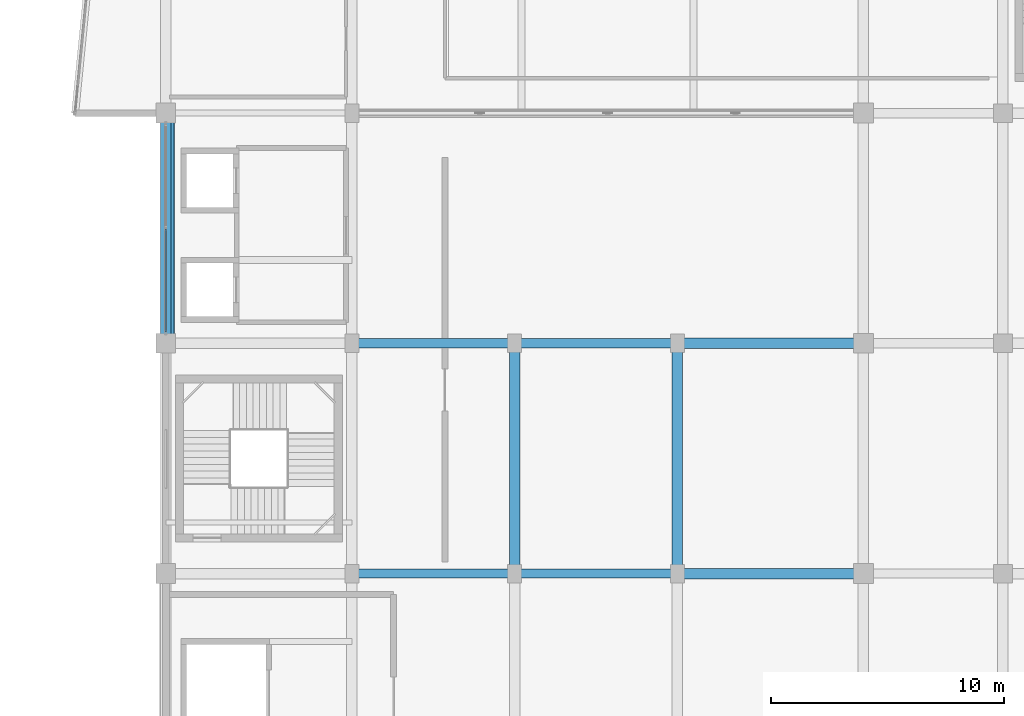
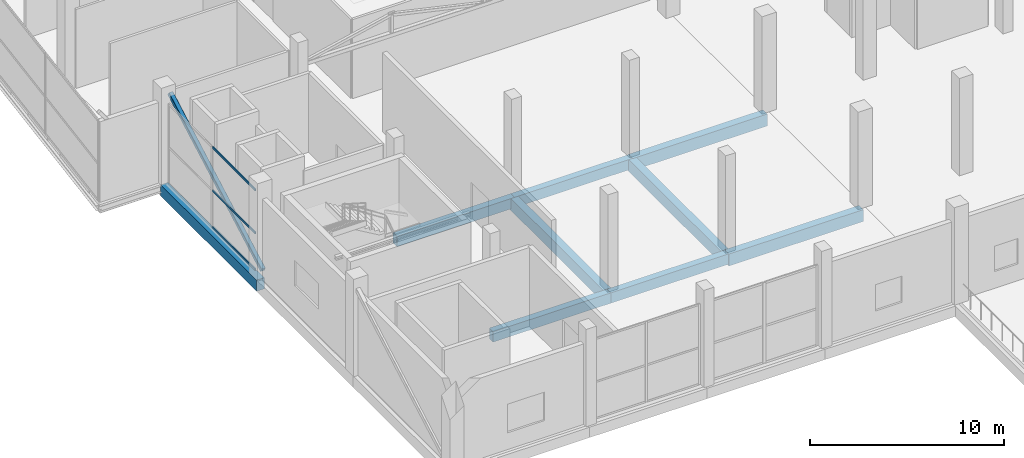
# One storey, part 6 of 58: 9 beams, 4 members, 1 element without a shape of its own.
"""IFC4 building model written with IfcOpenShell, lengths in metres."""

from ifc_helpers import new_model, si_unit, direction, frame, origin, origin_2d, place, context, subcontext, project, spatial, rectangle, hollow_rectangle, extrude, material, layer, layer_set, material_profile, profile_set, type_object, element, aggregate, save


model = new_model("IFC4")

# Units and contexts
model_context = context("Model", 3, precision=1e-05, world=origin(), true_north=direction((0.0, 1.0)))
body_context = subcontext(model_context, "Body", "Model", "MODEL_VIEW")
ifc_project = project(units=[si_unit("LENGTHUNIT", "METRE"), si_unit("AREAUNIT", "SQUARE_METRE"), si_unit("VOLUMEUNIT", "CUBIC_METRE"), si_unit("PLANEANGLEUNIT", "RADIAN"), si_unit("MASSUNIT", "GRAM", prefix="KILO")], contexts=[model_context])

# Site, building, storey
site_placement = place(None, origin())
site = spatial("IfcSite", under=ifc_project, at=site_placement, CompositionType="ELEMENT")
building_placement = place(site_placement, origin())
building = spatial("IfcBuilding", under=site, at=building_placement, Name="Sillaruma Civic Art Gallery", CompositionType="ELEMENT")
storey_placement = place(building_placement, frame((0.0, 0.0, 22.43994140625)))
storey = spatial("IfcBuildingStorey", under=building, at=storey_placement, Name="L04", CompositionType="ELEMENT", Elevation=22.43994140625)

# Beams
ifc_material_1 = material(Name="Concrete H35 (35 MPa)", Category="concrete")
ifc_material_profile_1 = material_profile(ifc_material_1, rectangle(XDim=0.39990234375, YDim=0.64990234375, at=origin_2d()), Name="RCB400x650")
ifc_profile_set_1 = profile_set([ifc_material_profile_1], Name="Concrete H35 (35 MPa)")
beam_type_1 = type_object("IfcBeamType", Name="BM-BEAM-RCB400x650", PredefinedType="BEAM", material=ifc_profile_set_1)
for number, where, z_axis, x_axis, name in (
    (1, (70.0, 29.699951171875, -0.5849609375), (1.0, 0.0, 0.0), (0.0, 1.0, 0.0), "Beam BM-05 (L03:4:G-H)"),
    (2, (77.0, 29.699951171875, -0.5849609375), (1.0, 0.0, 0.0), (0.0, 1.0, 0.0), "Beam BM-05 (L03:4:H-J)"),
    (3, (70.0, 39.60009765625, -0.5849609375), (1.0, 0.0, 0.0), (0.0, 1.0, 0.0), "Beam BM-05 (L03:5:G-H)"),
    (4, (77.0, 39.60009765625, -0.5849609375), (1.0, 0.0, 0.0), (0.0, 1.0, 0.0), "Beam BM-05 (L03:5:H-J)"),
):
    element("IfcBeam", number, at=place(storey_placement, frame(where, z_axis=z_axis, x_axis=x_axis)), inside=storey, type_object=beam_type_1, Name=name, PredefinedType="BEAM", context=body_context, shape_type="SweptSolid", body=[
        extrude(rectangle(XDim=0.39990234375, YDim=0.64990234375, at=origin_2d()), origin(), (0.0, 0.0, 1.0), 7.0),
    ])
ifc_material_2 = material(Name="Concrete H40 (40 MPa)", Category="concrete")
ifc_material_profile_2 = material_profile(ifc_material_2, rectangle(XDim=0.449951171875, YDim=0.75, at=origin_2d()), Name="RCB450x750")
ifc_profile_set_2 = profile_set([ifc_material_profile_2], Name="Concrete H40 (40 MPa)")
beam_type_2 = type_object("IfcBeamType", Name="BM-BEAM-RCB450x750", PredefinedType="BEAM", material=ifc_profile_set_2)
for number, where, z_axis, x_axis, name in (
    (5, (84.0, 29.699951171875, -0.635009765625), (1.0, 0.0, 0.0), (0.0, 1.0, 0.0), "Beam BM-03 (L03:4:J-K)"),
    (6, (84.0, 39.60009765625, -0.635009765625), (1.0, 0.0, 0.0), (0.0, 1.0, 0.0), "Beam BM-03 (L03:5:J-K)"),
):
    element("IfcBeam", number, at=place(storey_placement, frame(where, z_axis=z_axis, x_axis=x_axis)), inside=storey, type_object=beam_type_2, Name=name, PredefinedType="BEAM", context=body_context, shape_type="SweptSolid", body=[
        extrude(rectangle(XDim=0.449951171875, YDim=0.75, at=origin_2d()), origin(), (0.0, 0.0, 1.0), 8.0),
    ])
for number, where, z_axis, x_axis, name in (
    (7, (77.0, 29.699951171875, -0.635009765625), (0.0, 1.0, 0.0), (-1.0, 0.0, 0.0), "Beam BM-03 (L03:H:4-5)"),
    (8, (84.0, 29.699951171875, -0.635009765625), (0.0, 1.0, 0.0), (-1.0, 0.0, 0.0), "Beam BM-03 (L03:J:4-5)"),
):
    element("IfcBeam", number, at=place(storey_placement, frame(where, z_axis=z_axis, x_axis=x_axis)), inside=storey, type_object=beam_type_2, Name=name, PredefinedType="BEAM", context=body_context, shape_type="SweptSolid", body=[
        extrude(rectangle(XDim=0.449951171875, YDim=0.75, at=origin_2d()), origin(), (0.0, 0.0, 1.0), 9.900146484375),
    ])
ifc_material_profile_3 = material_profile(ifc_material_1, rectangle(XDim=0.449951171875, YDim=0.699951171875, at=origin_2d()), Name="RCB450x700")
ifc_profile_set_3 = profile_set([ifc_material_profile_3], Name="Concrete H35 (35 MPa)")
beam_type_3 = type_object("IfcBeamType", Name="BM-SPANDREL-RCB450x700", PredefinedType="SPANDREL", material=ifc_profile_set_3)
beam_placement = place(storey_placement, frame((62.0, 39.60009765625, -0.60986328125), z_axis=(0.0, 1.0, 0.0), x_axis=(-1.0, 0.0, 0.0)))
element("IfcBeam", 9, at=beam_placement, inside=storey, type_object=beam_type_3, Name="Beam BS-03 (L03:F:5-6)", PredefinedType="SPANDREL", context=body_context, shape_type="SweptSolid", body=[
    extrude(rectangle(XDim=0.449951171875, YDim=0.699951171875, at=origin_2d()), origin(), (0.0, 0.0, 1.0), 9.89990234375),
])

# Member
ifc_material_3 = material(Name="Structural Steel ASTM A500 Gr.C", Category="steel")
ifc_material_profile_4 = material_profile(ifc_material_3, hollow_rectangle(XDim=0.25, YDim=0.25, WallThickness=0.012451171875, InnerFilletRadius=0.012451171875, OuterFilletRadius=0.02490234375, at=origin_2d()), Name="HSS250x250x12.5")
ifc_profile_set_4 = profile_set([ifc_material_profile_4], Name="Structural Steel ASTM A500 Gr.C")
member_type_1 = type_object("IfcMemberType", Name="MEM-MEGA-BRACE", PredefinedType="BRACE", material=ifc_profile_set_4)
member_1_placement = place(storey_placement, frame((62.25, 39.780029296875, 0.1201171875), z_axis=(0.0, 0.873386545904, 0.487027659823), x_axis=(-1.0, 0.0, 0.0)))
element("IfcMember", 10, at=member_1_placement, inside=storey, type_object=member_type_1, Name="Gallery Spine Diagonal Steel Brace (L04-W1)", PredefinedType="BRACE", context=body_context, shape_type="SweptSolid", body=[
    extrude(hollow_rectangle(XDim=0.25, YDim=0.25, WallThickness=0.012451171875, InnerFilletRadius=0.012451171875, OuterFilletRadius=0.02490234375, at=origin_2d()), origin(), (0.0, 0.0, 1.0), 10.923095703125),
])

# Curtain wall, members
ifc_material_4 = material(Name="Thermally Broken Extruded Aluminium 6063-T6", Category="aluminium")
ifc_layer = layer(ifc_material_4, 0.179931640625, Name="Thermally Broken Extruded Aluminium 6063-T6")
ifc_layer_set = layer_set([ifc_layer], Name="Thermally Broken Extruded Aluminium 6063-T6")
curtain_wall_type = type_object("IfcCurtainWallType", Name="CW-UNI-21", PredefinedType="NOTDEFINED", material=ifc_layer_set)
curtain_wall_placement = place(storey_placement, origin())
curtain_wall = element("IfcCurtainWall", 11, at=curtain_wall_placement, inside=storey, type_object=curtain_wall_type, Name="Unitised Curtain Wall CW-21 (CW-L04-W-3)", PredefinedType="NOTDEFINED")
ifc_material_profile_5 = material_profile(ifc_material_4, hollow_rectangle(XDim=0.06494140625, YDim=0.1201171875, WallThickness=0.00341796875, at=origin_2d()), Name="CWT65x120")
ifc_profile_set_5 = profile_set([ifc_material_profile_5], Name="Thermally Broken Extruded Aluminium 6063-T6")
member_type_2 = type_object("IfcMemberType", Name="MEM-TRN-CWT65x120", PredefinedType="USERDEFINED", material=ifc_profile_set_5)
member_2_placement = place(storey_placement, frame((62.0, 40.094970703125, 0.032470703125), z_axis=(0.0, 1.0, 0.0), x_axis=(-1.0, 0.0, 0.0)))
member_2 = element("IfcMember", 12, at=member_2_placement, type_object=member_type_2, Name="CW-21 transom 1.1", ObjectType="TRANSOM", PredefinedType="USERDEFINED", context=body_context, shape_type="SweptSolid", body=[
    extrude(hollow_rectangle(XDim=0.06494140625, YDim=0.1201171875, WallThickness=0.00341796875, at=origin_2d()), origin(), (0.0, 0.0, 1.0), 4.419921875),
])
member_3_placement = place(storey_placement, frame((62.0, 40.094970703125, 2.32763671875), z_axis=(0.0, 1.0, 0.0), x_axis=(-1.0, 0.0, 0.0)))
member_3 = element("IfcMember", 13, at=member_3_placement, type_object=member_type_2, Name="CW-21 transom 1.2", ObjectType="TRANSOM", PredefinedType="USERDEFINED", context=body_context, shape_type="SweptSolid", body=[
    extrude(hollow_rectangle(XDim=0.06494140625, YDim=0.1201171875, WallThickness=0.00341796875, at=origin_2d()), origin(), (0.0, 0.0, 1.0), 4.419921875),
])
member_4_placement = place(storey_placement, frame((62.0, 40.094970703125, 5.027587890625), z_axis=(0.0, 1.0, 0.0), x_axis=(-1.0, 0.0, 0.0)))
member_4 = element("IfcMember", 14, at=member_4_placement, type_object=member_type_2, Name="CW-21 transom 1.3", ObjectType="TRANSOM", PredefinedType="USERDEFINED", context=body_context, shape_type="SweptSolid", body=[
    extrude(hollow_rectangle(XDim=0.06494140625, YDim=0.1201171875, WallThickness=0.00341796875, at=origin_2d()), origin(), (0.0, 0.0, 1.0), 4.419921875),
])
aggregate(curtain_wall, [member_2, member_3, member_4])

save(model, "model.ifc")
